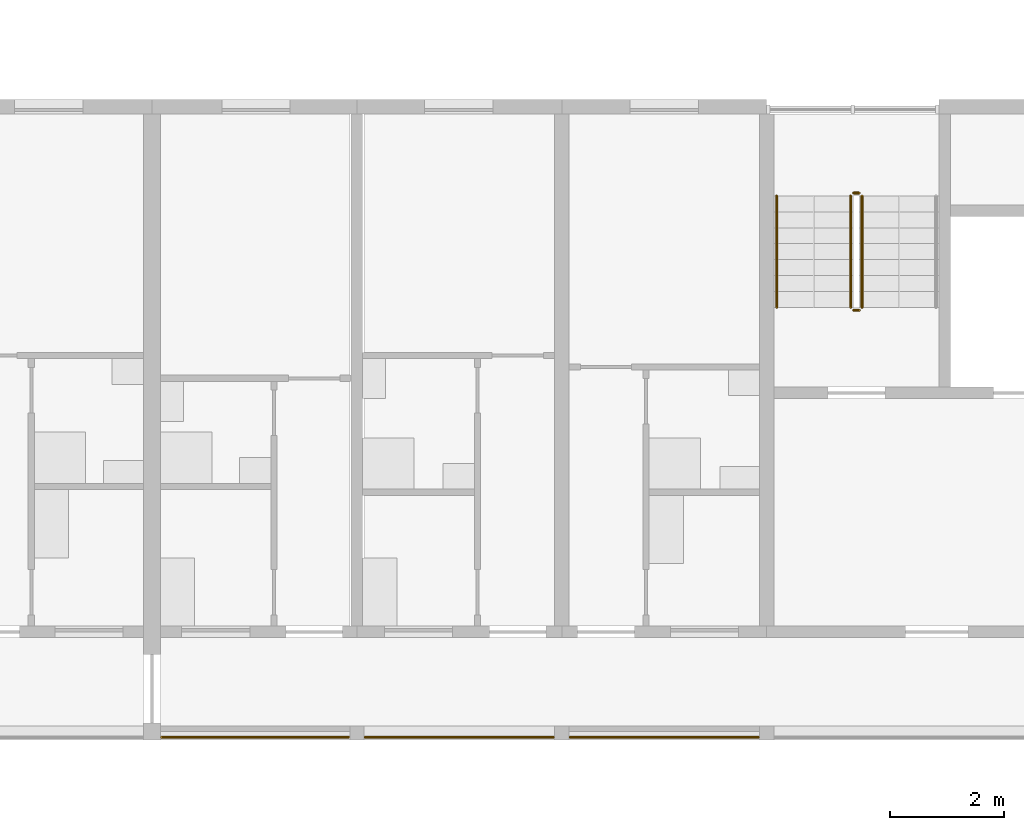
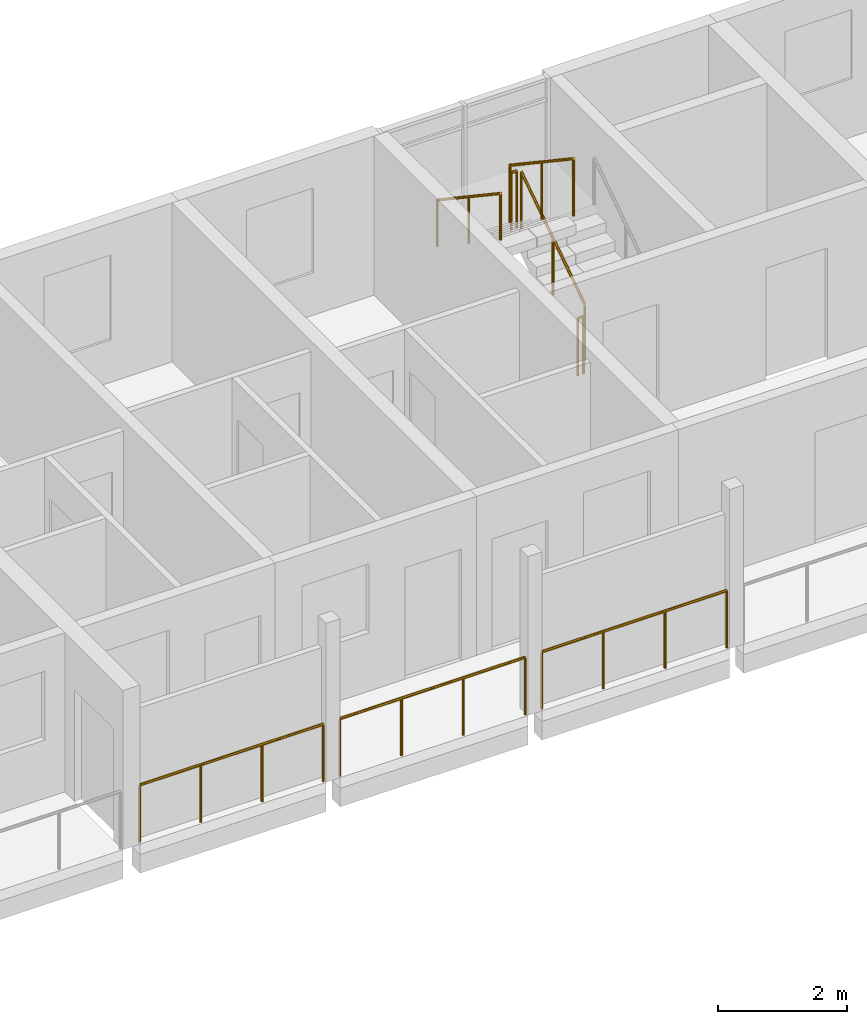
# One storey, part 75 of 100: 8 railings.
"""IFC4 building model written with IfcOpenShell, lengths in metres."""

from ifc_helpers import new_model, si_unit, direction, frame, origin, origin_2d, place, context, subcontext, project, spatial, circle, extrude, material, type_object, element, save


model = new_model("IFC4")

# Units and contexts
model_context = context("Model", 3, precision=1e-05, world=origin(), true_north=direction((0.0, 1.0)))
body_context = subcontext(model_context, "Body", "Model", "MODEL_VIEW")
ifc_project = project(units=[si_unit("LENGTHUNIT", "METRE"), si_unit("AREAUNIT", "SQUARE_METRE"), si_unit("VOLUMEUNIT", "CUBIC_METRE"), si_unit("PLANEANGLEUNIT", "RADIAN"), si_unit("MASSUNIT", "GRAM", prefix="KILO")], contexts=[model_context])

# Site, building, storey
site_placement = place(None, origin())
site = spatial("IfcSite", under=ifc_project, at=site_placement, CompositionType="ELEMENT")
building_placement = place(site_placement, origin())
building = spatial("IfcBuilding", under=site, at=building_placement, Name="Ridgestep Commons", CompositionType="ELEMENT")
storey_placement = place(building_placement, frame((0.0, 0.0, 9.0)))
storey = spatial("IfcBuildingStorey", under=building, at=storey_placement, Name="L03", CompositionType="ELEMENT", Elevation=9.0)

# Railings
ifc_material_1 = material(Name="Structural steel S355JR", Category="steel")
railing_type_1 = type_object("IfcRailingType", Name="Guard 1100", PredefinedType="GUARDRAIL", material=ifc_material_1)
railing_1_placement = place(storey_placement, frame((62.571044921875, 11.800048828125, 0.0)))
element("IfcRailing", 1, at=railing_1_placement, inside=storey, type_object=railing_type_1, Name="Gallery guard A 03.13", PredefinedType="GUARDRAIL", context=body_context, shape_type="SweptSolid", body=[
    extrude(circle(Radius=0.02392578125, at=origin_2d()), frame((0.0, 0.0, 1.076171875), z_axis=(1.0, 0.0, 0.0), x_axis=(0.0, 1.0, 0.0)), (0.0, 0.0, 1.0), 3.282958984375),
    extrude(circle(Radius=0.02099609375, at=origin_2d()), origin(), (0.0, 0.0, 1.0), 1.052001953125),
    extrude(circle(Radius=0.02099609375, at=origin_2d()), frame((1.09423828125, 0.0, 0.0)), (0.0, 0.0, 1.0), 1.052001953125),
    extrude(circle(Radius=0.02099609375, at=origin_2d()), frame((2.188720703125, 0.0, 0.0)), (0.0, 0.0, 1.0), 1.052001953125),
    extrude(circle(Radius=0.02099609375, at=origin_2d()), frame((3.282958984375, 0.0, 0.0)), (0.0, 0.0, 1.0), 1.052001953125),
])
railing_2_placement = place(storey_placement, frame((66.14599609375, 11.800048828125, 0.0)))
element("IfcRailing", 2, at=railing_2_placement, inside=storey, type_object=railing_type_1, Name="Gallery guard A 03.14", PredefinedType="GUARDRAIL", context=body_context, shape_type="SweptSolid", body=[
    extrude(circle(Radius=0.02392578125, at=origin_2d()), frame((0.0, 0.0, 1.076171875), z_axis=(1.0, 0.0, 0.0), x_axis=(0.0, 1.0, 0.0)), (0.0, 0.0, 1.0), 3.30810546875),
    extrude(circle(Radius=0.02099609375, at=origin_2d()), origin(), (0.0, 0.0, 1.0), 1.052001953125),
    extrude(circle(Radius=0.02099609375, at=origin_2d()), frame((1.102783203125, 0.0, 0.0)), (0.0, 0.0, 1.0), 1.052001953125),
    extrude(circle(Radius=0.02099609375, at=origin_2d()), frame((2.205322265625, 0.0, 0.0)), (0.0, 0.0, 1.0), 1.052001953125),
    extrude(circle(Radius=0.02099609375, at=origin_2d()), frame((3.30810546875, 0.0, 0.0)), (0.0, 0.0, 1.0), 1.052001953125),
])
railing_3_placement = place(storey_placement, frame((69.74609375, 11.800048828125, 0.0)))
element("IfcRailing", 3, at=railing_3_placement, inside=storey, type_object=railing_type_1, Name="Gallery guard A 03.15", PredefinedType="GUARDRAIL", context=body_context, shape_type="SweptSolid", body=[
    extrude(circle(Radius=0.02392578125, at=origin_2d()), frame((0.0, 0.0, 1.076171875), z_axis=(1.0, 0.0, 0.0), x_axis=(0.0, 1.0, 0.0)), (0.0, 0.0, 1.0), 3.307861328125),
    extrude(circle(Radius=0.02099609375, at=origin_2d()), origin(), (0.0, 0.0, 1.0), 1.052001953125),
    extrude(circle(Radius=0.02099609375, at=origin_2d()), frame((1.1025390625, 0.0, 0.0)), (0.0, 0.0, 1.0), 1.052001953125),
    extrude(circle(Radius=0.02099609375, at=origin_2d()), frame((2.205322265625, 0.0, 0.0)), (0.0, 0.0, 1.0), 1.052001953125),
    extrude(circle(Radius=0.02099609375, at=origin_2d()), frame((3.307861328125, 0.0, 0.0)), (0.0, 0.0, 1.0), 1.052001953125),
])
ifc_material_2 = material(Name="Structural steel S355JR", Category="steel")
railing_type_2 = type_object("IfcRailingType", Name="Stair guard 1100", PredefinedType="GUARDRAIL", material=ifc_material_2)
railing_4_placement = place(storey_placement, frame((74.875, 19.35009765625, 0.1875)))
element("IfcRailing", 4, at=railing_4_placement, inside=storey, type_object=railing_type_2, Name="L03 A4C stair guard 1", PredefinedType="GUARDRAIL", context=body_context, shape_type="SweptSolid", body=[
    extrude(circle(Radius=0.02392578125, at=origin_2d()), frame((0.0, 0.0, 1.076171875), z_axis=(0.0, 0.830902050051, 0.556418712142), x_axis=(-1.0, 0.0, 0.0)), (0.0, 0.0, 1.0), 2.35888671875),
    extrude(circle(Radius=0.02099609375, at=origin_2d()), origin(), (0.0, 0.0, 1.0), 1.052001953125),
    extrude(circle(Radius=0.02099609375, at=origin_2d()), frame((0.0, 0.97998046875, 0.65625)), (0.0, 0.0, 1.0), 1.052001953125),
    extrude(circle(Radius=0.02099609375, at=origin_2d()), frame((0.0, 1.9599609375, 1.3125)), (0.0, 0.0, 1.0), 1.052001953125),
])
railing_5_placement = place(storey_placement, frame((74.824951171875, 21.360107421875, 1.5)))
element("IfcRailing", 5, at=railing_5_placement, inside=storey, type_object=railing_type_2, Name="L03 A4C stair guard 2", PredefinedType="GUARDRAIL", context=body_context, shape_type="SweptSolid", body=[
    extrude(circle(Radius=0.02392578125, at=origin_2d()), frame((0.0, 0.0, 1.076171875), z_axis=(-1.0, 0.0, 0.0), x_axis=(0.0, -1.0, 0.0)), (0.0, 0.0, 1.0), 0.099853515625),
    extrude(circle(Radius=0.02099609375, at=origin_2d()), origin(), (0.0, 0.0, 1.0), 1.052001953125),
    extrude(circle(Radius=0.02099609375, at=origin_2d()), frame((-0.099853515625, 0.0, 0.0)), (0.0, 0.0, 1.0), 1.052001953125),
])
railing_6_placement = place(storey_placement, frame((74.675048828125, 21.31005859375, 1.6875)))
element("IfcRailing", 6, at=railing_6_placement, inside=storey, type_object=railing_type_2, Name="L03 A4C stair guard 3", PredefinedType="GUARDRAIL", context=body_context, shape_type="SweptSolid", body=[
    extrude(circle(Radius=0.02392578125, at=origin_2d()), frame((0.0, 0.0, 1.076171875), z_axis=(0.0, -0.830902050051, 0.556418712142), x_axis=(1.0, 0.0, 0.0)), (0.0, 0.0, 1.0), 2.35888671875),
    extrude(circle(Radius=0.02099609375, at=origin_2d()), origin(), (0.0, 0.0, 1.0), 1.052001953125),
    extrude(circle(Radius=0.02099609375, at=origin_2d()), frame((0.0, -0.97998046875, 0.65625)), (0.0, 0.0, 1.0), 1.052001953125),
    extrude(circle(Radius=0.02099609375, at=origin_2d()), frame((0.0, -1.9599609375, 1.3125)), (0.0, 0.0, 1.0), 1.052001953125),
])
railing_7_placement = place(storey_placement, frame((74.824951171875, 19.300048828125, 0.0)))
element("IfcRailing", 7, at=railing_7_placement, inside=storey, type_object=railing_type_2, Name="L03 A4C stair guard 4", PredefinedType="GUARDRAIL", context=body_context, shape_type="SweptSolid", body=[
    extrude(circle(Radius=0.02392578125, at=origin_2d()), frame((0.0, 0.0, 1.076171875), z_axis=(-1.0, 0.0, 0.0), x_axis=(0.0, -1.0, 0.0)), (0.0, 0.0, 1.0), 0.099853515625),
    extrude(circle(Radius=0.02099609375, at=origin_2d()), origin(), (0.0, 0.0, 1.0), 1.052001953125),
    extrude(circle(Radius=0.02099609375, at=origin_2d()), frame((-0.099853515625, 0.0, 0.0)), (0.0, 0.0, 1.0), 1.052001953125),
])
ifc_material_3 = material(Name="Structural steel S355JR", Category="steel")
railing_type_3 = type_object("IfcRailingType", Name="Stair handrail 900", PredefinedType="HANDRAIL", material=ifc_material_3)
railing_8_placement = place(storey_placement, frame((73.375, 21.31005859375, 1.6875)))
element("IfcRailing", 8, at=railing_8_placement, inside=storey, type_object=railing_type_3, Name="L03 A4C stair handrail 2", PredefinedType="HANDRAIL", context=body_context, shape_type="SweptSolid", body=[
    extrude(circle(Radius=0.02392578125, at=origin_2d()), frame((0.0, 0.0, 0.8759765625), z_axis=(0.0, -0.830902050051, 0.556418712142), x_axis=(1.0, 0.0, 0.0)), (0.0, 0.0, 1.0), 2.35888671875),
    extrude(circle(Radius=0.02099609375, at=origin_2d()), origin(), (0.0, 0.0, 1.0), 0.851806640625),
    extrude(circle(Radius=0.02099609375, at=origin_2d()), frame((0.0, -0.97998046875, 0.65625)), (0.0, 0.0, 1.0), 0.851806640625),
    extrude(circle(Radius=0.02099609375, at=origin_2d()), frame((0.0, -1.9599609375, 1.3125)), (0.0, 0.0, 1.0), 0.851806640625),
])

save(model, "model.ifc")
